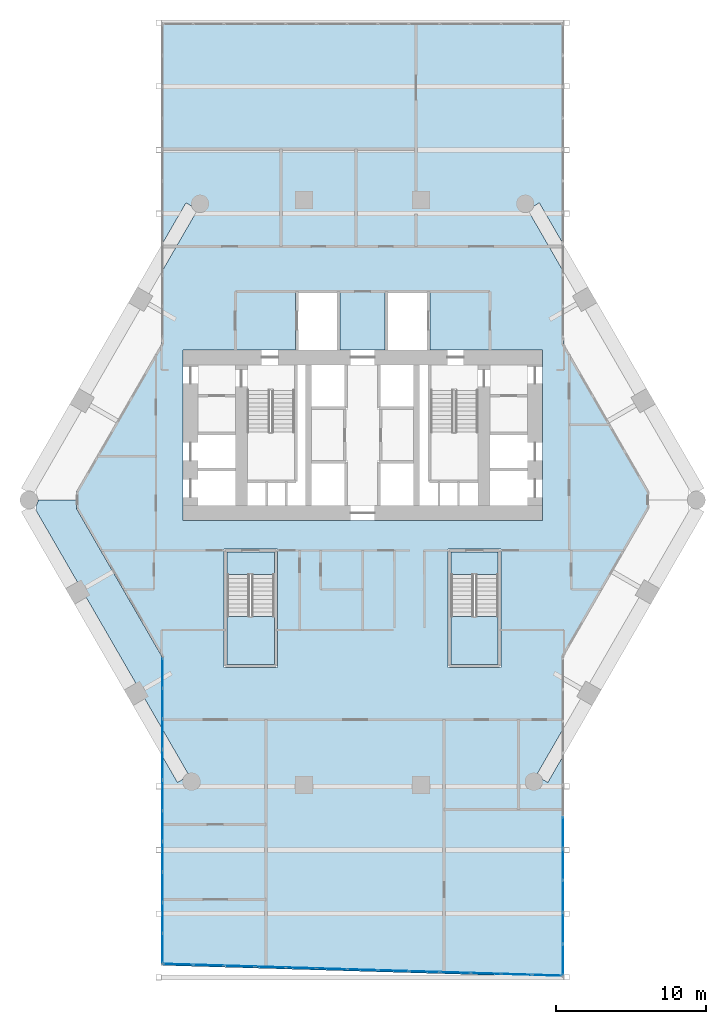
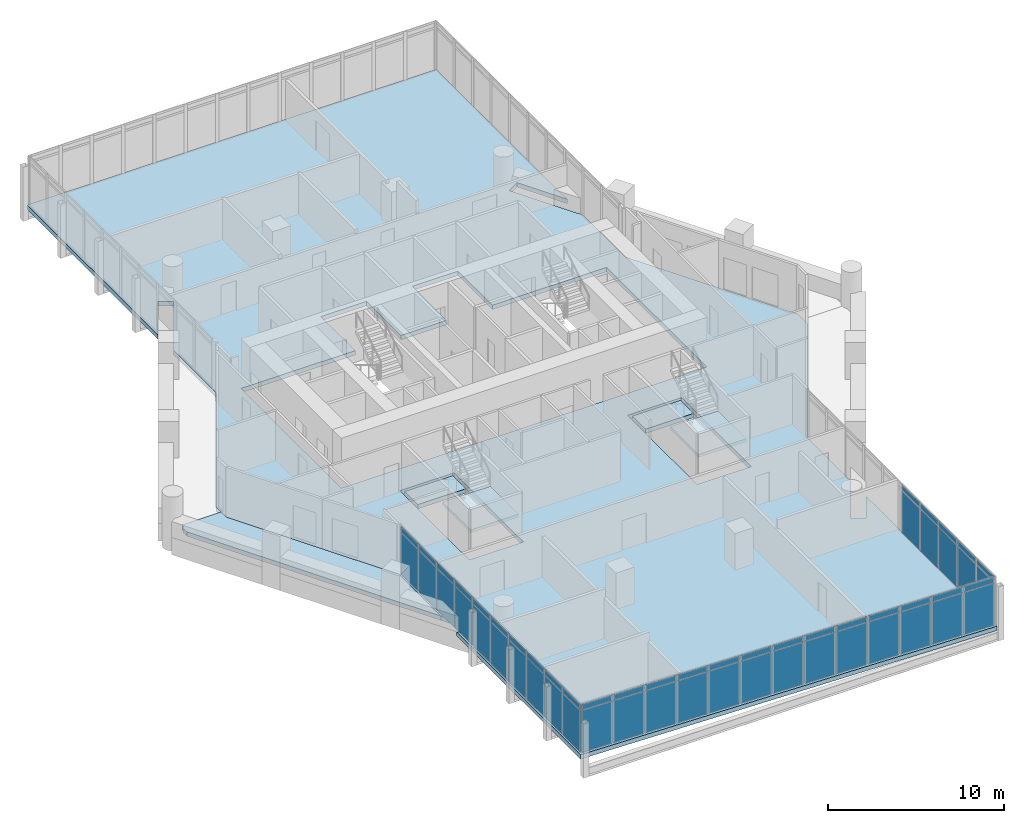
# One storey, part 20 of 28: 56 plates, 6 slabs, 5 elements without a shape of their own.
"""IFC4 building model written with IfcOpenShell, lengths in metres."""

from ifc_helpers import new_model, si_unit, direction, frame, origin, origin_2d, place, context, subcontext, project, spatial, polyline, rectangle, outline, extrude, material, layer, layer_set, type_object, element, aggregate, save


model = new_model("IFC4")

# Units and contexts
model_context = context("Model", 3, precision=1e-05, world=origin(), true_north=direction((0.0, 1.0)))
body_context = subcontext(model_context, "Body", "Model", "MODEL_VIEW")
ifc_project = project(units=[si_unit("LENGTHUNIT", "METRE"), si_unit("AREAUNIT", "SQUARE_METRE"), si_unit("VOLUMEUNIT", "CUBIC_METRE"), si_unit("PLANEANGLEUNIT", "RADIAN"), si_unit("MASSUNIT", "GRAM", prefix="KILO")], contexts=[model_context])

# Site, building, storey
site_placement = place(None, origin())
site = spatial("IfcSite", under=ifc_project, at=site_placement, CompositionType="ELEMENT")
building_placement = place(site_placement, origin())
building = spatial("IfcBuilding", under=site, at=building_placement, Name="Ostrander Bayou Hotel Tower", CompositionType="ELEMENT")
storey_placement = place(building_placement, frame((0.0, 0.0, 100.5)))
storey = spatial("IfcBuildingStorey", under=building, at=storey_placement, Name="L25", CompositionType="ELEMENT", Elevation=100.5)

# Curtain wall, plates
ifc_material_1 = material(Name="Aluminium and clear glass", Category="aluminium")
curtain_wall_type = type_object("IfcCurtainWallType", Name="CW-BAR glazed wall", PredefinedType="NOTDEFINED", material=ifc_material_1)
curtain_wall_1_placement = place(storey_placement, origin())
curtain_wall_1 = element("IfcCurtainWall", 1, at=curtain_wall_1_placement, inside=storey, type_object=curtain_wall_type, Name="CW-BAR L25:SB2S:E", PredefinedType="NOTDEFINED")
ifc_material_2 = material(Name="Clear laminated glass", Category="glass")
ifc_layer_1 = layer(ifc_material_2, 0.028076171875)
ifc_layer_set_1 = layer_set([ifc_layer_1], Name="CW-BR glazing panel 28 mm")
plate_type = type_object("IfcPlateType", Name="CW-BR glazing panel 28 mm", PredefinedType="CURTAIN_PANEL", material=ifc_layer_set_1)
plate_1_placement = place(storey_placement, frame((-13.3671875, -11.885009765625, 0.06005859375), z_axis=(0.0, 0.0, 1.0), x_axis=(0.0, -1.0, 0.0)))
plate_1 = element("IfcPlate", 2, at=plate_1_placement, type_object=plate_type, Name="CW-BAR panel 1.1", PredefinedType="CURTAIN_PANEL", context=body_context, shape_type="SweptSolid", body=[
    extrude(rectangle(XDim=1.95556640625, YDim=0.028076171875, at=origin_2d()), origin(), (0.0, 0.0, 1.0), 2.909912109375),
])
plate_2_placement = place(storey_placement, frame((-13.3671875, -11.885009765625, 3.02978515625), z_axis=(0.0, 0.0, 1.0), x_axis=(0.0, -1.0, 0.0)))
plate_2 = element("IfcPlate", 3, at=plate_2_placement, type_object=plate_type, Name="CW-BAR panel 1.2", PredefinedType="CURTAIN_PANEL", context=body_context, shape_type="SweptSolid", body=[
    extrude(rectangle(XDim=1.95556640625, YDim=0.028076171875, at=origin_2d()), origin(), (0.0, 0.0, 1.0), 0.360107421875),
])
plate_3_placement = place(storey_placement, frame((-13.3671875, -13.91552734375, 0.06005859375), z_axis=(0.0, 0.0, 1.0), x_axis=(0.0, -1.0, 0.0)))
plate_3 = element("IfcPlate", 4, at=plate_3_placement, type_object=plate_type, Name="CW-BAR panel 2.1", PredefinedType="CURTAIN_PANEL", context=body_context, shape_type="SweptSolid", body=[
    extrude(rectangle(XDim=1.985595703125, YDim=0.028076171875, at=origin_2d()), origin(), (0.0, 0.0, 1.0), 2.909912109375),
])
plate_4_placement = place(storey_placement, frame((-13.3671875, -13.91552734375, 3.02978515625), z_axis=(0.0, 0.0, 1.0), x_axis=(0.0, -1.0, 0.0)))
plate_4 = element("IfcPlate", 5, at=plate_4_placement, type_object=plate_type, Name="CW-BAR panel 2.2", PredefinedType="CURTAIN_PANEL", context=body_context, shape_type="SweptSolid", body=[
    extrude(rectangle(XDim=1.985595703125, YDim=0.028076171875, at=origin_2d()), origin(), (0.0, 0.0, 1.0), 0.360107421875),
])
plate_5_placement = place(storey_placement, frame((-13.3671875, -15.9609375, 0.06005859375), z_axis=(0.0, 0.0, 1.0), x_axis=(0.0, -1.0, 0.0)))
plate_5 = element("IfcPlate", 6, at=plate_5_placement, type_object=plate_type, Name="CW-BAR panel 3.1", PredefinedType="CURTAIN_PANEL", context=body_context, shape_type="SweptSolid", body=[
    extrude(rectangle(XDim=1.985595703125, YDim=0.028076171875, at=origin_2d()), origin(), (0.0, 0.0, 1.0), 2.909912109375),
])
plate_6_placement = place(storey_placement, frame((-13.3671875, -15.9609375, 3.02978515625), z_axis=(0.0, 0.0, 1.0), x_axis=(0.0, -1.0, 0.0)))
plate_6 = element("IfcPlate", 7, at=plate_6_placement, type_object=plate_type, Name="CW-BAR panel 3.2", PredefinedType="CURTAIN_PANEL", context=body_context, shape_type="SweptSolid", body=[
    extrude(rectangle(XDim=1.985595703125, YDim=0.028076171875, at=origin_2d()), origin(), (0.0, 0.0, 1.0), 0.360107421875),
])
plate_7_placement = place(storey_placement, frame((-13.3671875, -18.006591796875, 0.06005859375), z_axis=(0.0, 0.0, 1.0), x_axis=(0.0, -1.0, 0.0)))
plate_7 = element("IfcPlate", 8, at=plate_7_placement, type_object=plate_type, Name="CW-BAR panel 4.1", PredefinedType="CURTAIN_PANEL", context=body_context, shape_type="SweptSolid", body=[
    extrude(rectangle(XDim=1.985595703125, YDim=0.028076171875, at=origin_2d()), origin(), (0.0, 0.0, 1.0), 2.909912109375),
])
plate_8_placement = place(storey_placement, frame((-13.3671875, -18.006591796875, 3.02978515625), z_axis=(0.0, 0.0, 1.0), x_axis=(0.0, -1.0, 0.0)))
plate_8 = element("IfcPlate", 9, at=plate_8_placement, type_object=plate_type, Name="CW-BAR panel 4.2", PredefinedType="CURTAIN_PANEL", context=body_context, shape_type="SweptSolid", body=[
    extrude(rectangle(XDim=1.985595703125, YDim=0.028076171875, at=origin_2d()), origin(), (0.0, 0.0, 1.0), 0.360107421875),
])
plate_9_placement = place(storey_placement, frame((-13.3671875, -20.052001953125, 0.06005859375), z_axis=(0.0, 0.0, 1.0), x_axis=(0.0, -1.0, 0.0)))
plate_9 = element("IfcPlate", 10, at=plate_9_placement, type_object=plate_type, Name="CW-BAR panel 5.1", PredefinedType="CURTAIN_PANEL", context=body_context, shape_type="SweptSolid", body=[
    extrude(rectangle(XDim=1.985595703125, YDim=0.028076171875, at=origin_2d()), origin(), (0.0, 0.0, 1.0), 2.909912109375),
])
plate_10_placement = place(storey_placement, frame((-13.3671875, -20.052001953125, 3.02978515625), z_axis=(0.0, 0.0, 1.0), x_axis=(0.0, -1.0, 0.0)))
plate_10 = element("IfcPlate", 11, at=plate_10_placement, type_object=plate_type, Name="CW-BAR panel 5.2", PredefinedType="CURTAIN_PANEL", context=body_context, shape_type="SweptSolid", body=[
    extrude(rectangle(XDim=1.985595703125, YDim=0.028076171875, at=origin_2d()), origin(), (0.0, 0.0, 1.0), 0.360107421875),
])
plate_11_placement = place(storey_placement, frame((-13.3671875, -22.097412109375, 0.06005859375), z_axis=(0.0, 0.0, 1.0), x_axis=(0.0, -1.0, 0.0)))
plate_11 = element("IfcPlate", 12, at=plate_11_placement, type_object=plate_type, Name="CW-BAR panel 6.1", PredefinedType="CURTAIN_PANEL", context=body_context, shape_type="SweptSolid", body=[
    extrude(rectangle(XDim=1.985595703125, YDim=0.028076171875, at=origin_2d()), origin(), (0.0, 0.0, 1.0), 2.909912109375),
])
plate_12_placement = place(storey_placement, frame((-13.3671875, -22.097412109375, 3.02978515625), z_axis=(0.0, 0.0, 1.0), x_axis=(0.0, -1.0, 0.0)))
plate_12 = element("IfcPlate", 13, at=plate_12_placement, type_object=plate_type, Name="CW-BAR panel 6.2", PredefinedType="CURTAIN_PANEL", context=body_context, shape_type="SweptSolid", body=[
    extrude(rectangle(XDim=1.985595703125, YDim=0.028076171875, at=origin_2d()), origin(), (0.0, 0.0, 1.0), 0.360107421875),
])
plate_13_placement = place(storey_placement, frame((-13.3671875, -24.14306640625, 0.06005859375), z_axis=(0.0, 0.0, 1.0), x_axis=(0.0, -1.0, 0.0)))
plate_13 = element("IfcPlate", 14, at=plate_13_placement, type_object=plate_type, Name="CW-BAR panel 7.1", PredefinedType="CURTAIN_PANEL", context=body_context, shape_type="SweptSolid", body=[
    extrude(rectangle(XDim=1.985595703125, YDim=0.028076171875, at=origin_2d()), origin(), (0.0, 0.0, 1.0), 2.909912109375),
])
plate_14_placement = place(storey_placement, frame((-13.3671875, -24.14306640625, 3.02978515625), z_axis=(0.0, 0.0, 1.0), x_axis=(0.0, -1.0, 0.0)))
plate_14 = element("IfcPlate", 15, at=plate_14_placement, type_object=plate_type, Name="CW-BAR panel 7.2", PredefinedType="CURTAIN_PANEL", context=body_context, shape_type="SweptSolid", body=[
    extrude(rectangle(XDim=1.985595703125, YDim=0.028076171875, at=origin_2d()), origin(), (0.0, 0.0, 1.0), 0.360107421875),
])
plate_15_placement = place(storey_placement, frame((-13.3671875, -26.1884765625, 0.06005859375), z_axis=(0.0, 0.0, 1.0), x_axis=(0.0, -1.0, 0.0)))
plate_15 = element("IfcPlate", 16, at=plate_15_placement, type_object=plate_type, Name="CW-BAR panel 8.1", PredefinedType="CURTAIN_PANEL", context=body_context, shape_type="SweptSolid", body=[
    extrude(rectangle(XDim=1.985595703125, YDim=0.028076171875, at=origin_2d()), origin(), (0.0, 0.0, 1.0), 2.909912109375),
])
plate_16_placement = place(storey_placement, frame((-13.3671875, -26.1884765625, 3.02978515625), z_axis=(0.0, 0.0, 1.0), x_axis=(0.0, -1.0, 0.0)))
plate_16 = element("IfcPlate", 17, at=plate_16_placement, type_object=plate_type, Name="CW-BAR panel 8.2", PredefinedType="CURTAIN_PANEL", context=body_context, shape_type="SweptSolid", body=[
    extrude(rectangle(XDim=1.985595703125, YDim=0.028076171875, at=origin_2d()), origin(), (0.0, 0.0, 1.0), 0.360107421875),
])
plate_17_placement = place(storey_placement, frame((-13.3671875, -28.23388671875, 0.06005859375), z_axis=(0.0, 0.0, 1.0), x_axis=(0.0, -1.0, 0.0)))
plate_17 = element("IfcPlate", 18, at=plate_17_placement, type_object=plate_type, Name="CW-BAR panel 9.1", PredefinedType="CURTAIN_PANEL", context=body_context, shape_type="SweptSolid", body=[
    extrude(rectangle(XDim=1.985595703125, YDim=0.028076171875, at=origin_2d()), origin(), (0.0, 0.0, 1.0), 2.909912109375),
])
plate_18_placement = place(storey_placement, frame((-13.3671875, -28.23388671875, 3.02978515625), z_axis=(0.0, 0.0, 1.0), x_axis=(0.0, -1.0, 0.0)))
plate_18 = element("IfcPlate", 19, at=plate_18_placement, type_object=plate_type, Name="CW-BAR panel 9.2", PredefinedType="CURTAIN_PANEL", context=body_context, shape_type="SweptSolid", body=[
    extrude(rectangle(XDim=1.985595703125, YDim=0.028076171875, at=origin_2d()), origin(), (0.0, 0.0, 1.0), 0.360107421875),
])
plate_19_placement = place(storey_placement, frame((-13.3671875, -30.264404296875, 0.06005859375), z_axis=(0.0, 0.0, 1.0), x_axis=(0.0, -1.0, 0.0)))
plate_19 = element("IfcPlate", 20, at=plate_19_placement, type_object=plate_type, Name="CW-BAR panel 10.1", PredefinedType="CURTAIN_PANEL", context=body_context, shape_type="SweptSolid", body=[
    extrude(rectangle(XDim=1.95556640625, YDim=0.028076171875, at=origin_2d()), origin(), (0.0, 0.0, 1.0), 2.909912109375),
])
plate_20_placement = place(storey_placement, frame((-13.3671875, -30.264404296875, 3.02978515625), z_axis=(0.0, 0.0, 1.0), x_axis=(0.0, -1.0, 0.0)))
plate_20 = element("IfcPlate", 21, at=plate_20_placement, type_object=plate_type, Name="CW-BAR panel 10.2", PredefinedType="CURTAIN_PANEL", context=body_context, shape_type="SweptSolid", body=[
    extrude(rectangle(XDim=1.95556640625, YDim=0.028076171875, at=origin_2d()), origin(), (0.0, 0.0, 1.0), 0.360107421875),
])
aggregate(curtain_wall_1, [plate_1, plate_2, plate_3, plate_4, plate_5, plate_6, plate_7, plate_8, plate_9, plate_10, plate_11, plate_12, plate_13, plate_14, plate_15, plate_16, plate_17, plate_18, plate_19, plate_20])

curtain_wall_2_placement = place(storey_placement, origin())
curtain_wall_2 = element("IfcCurtainWall", 22, at=curtain_wall_2_placement, inside=storey, type_object=curtain_wall_type, Name="CW-BAR L25:SB2S:T", PredefinedType="NOTDEFINED")
plate_21_placement = place(storey_placement, frame((-12.323974609375, -31.333251953125, 0.06005859375), z_axis=(0.0, 0.0, 1.0), x_axis=(0.999557482631, -0.029746242041, 0.0)))
plate_21 = element("IfcPlate", 23, at=plate_21_placement, type_object=plate_type, Name="CW-BAR panel 1.1", PredefinedType="CURTAIN_PANEL", context=body_context, shape_type="SweptSolid", body=[
    extrude(rectangle(XDim=1.96728515625, YDim=0.028076171875, at=origin_2d()), origin(), (0.0, 0.0, 1.0), 2.909912109375),
])
plate_22_placement = place(storey_placement, frame((-12.323974609375, -31.333251953125, 3.02978515625), z_axis=(0.0, 0.0, 1.0), x_axis=(0.999557482631, -0.029746242041, 0.0)))
plate_22 = element("IfcPlate", 24, at=plate_22_placement, type_object=plate_type, Name="CW-BAR panel 1.2", PredefinedType="CURTAIN_PANEL", context=body_context, shape_type="SweptSolid", body=[
    extrude(rectangle(XDim=1.96728515625, YDim=0.028076171875, at=origin_2d()), origin(), (0.0, 0.0, 1.0), 0.360107421875),
])
plate_23_placement = place(storey_placement, frame((-10.282470703125, -31.39404296875, 0.06005859375), z_axis=(0.0, 0.0, 1.0), x_axis=(0.999557482631, -0.029746242041, 0.0)))
plate_23 = element("IfcPlate", 25, at=plate_23_placement, type_object=plate_type, Name="CW-BAR panel 2.1", PredefinedType="CURTAIN_PANEL", context=body_context, shape_type="SweptSolid", body=[
    extrude(rectangle(XDim=1.997314453125, YDim=0.028076171875, at=origin_2d()), origin(), (0.0, 0.0, 1.0), 2.909912109375),
])
plate_24_placement = place(storey_placement, frame((-10.282470703125, -31.39404296875, 3.02978515625), z_axis=(0.0, 0.0, 1.0), x_axis=(0.999557482631, -0.029746242041, 0.0)))
plate_24 = element("IfcPlate", 26, at=plate_24_placement, type_object=plate_type, Name="CW-BAR panel 2.2", PredefinedType="CURTAIN_PANEL", context=body_context, shape_type="SweptSolid", body=[
    extrude(rectangle(XDim=1.997314453125, YDim=0.028076171875, at=origin_2d()), origin(), (0.0, 0.0, 1.0), 0.360107421875),
])
plate_25_placement = place(storey_placement, frame((-8.22607421875, -31.455078125, 0.06005859375), z_axis=(0.0, 0.0, 1.0), x_axis=(0.999557482631, -0.029746242041, 0.0)))
plate_25 = element("IfcPlate", 27, at=plate_25_placement, type_object=plate_type, Name="CW-BAR panel 3.1", PredefinedType="CURTAIN_PANEL", context=body_context, shape_type="SweptSolid", body=[
    extrude(rectangle(XDim=1.997314453125, YDim=0.028076171875, at=origin_2d()), origin(), (0.0, 0.0, 1.0), 2.909912109375),
])
plate_26_placement = place(storey_placement, frame((-8.22607421875, -31.455078125, 3.02978515625), z_axis=(0.0, 0.0, 1.0), x_axis=(0.999557482631, -0.029746242041, 0.0)))
plate_26 = element("IfcPlate", 28, at=plate_26_placement, type_object=plate_type, Name="CW-BAR panel 3.2", PredefinedType="CURTAIN_PANEL", context=body_context, shape_type="SweptSolid", body=[
    extrude(rectangle(XDim=1.997314453125, YDim=0.028076171875, at=origin_2d()), origin(), (0.0, 0.0, 1.0), 0.360107421875),
])
plate_27_placement = place(storey_placement, frame((-6.16943359375, -31.516357421875, 0.06005859375), z_axis=(0.0, 0.0, 1.0), x_axis=(0.999557482631, -0.029746242041, 0.0)))
plate_27 = element("IfcPlate", 29, at=plate_27_placement, type_object=plate_type, Name="CW-BAR panel 4.1", PredefinedType="CURTAIN_PANEL", context=body_context, shape_type="SweptSolid", body=[
    extrude(rectangle(XDim=1.997314453125, YDim=0.028076171875, at=origin_2d()), origin(), (0.0, 0.0, 1.0), 2.909912109375),
])
plate_28_placement = place(storey_placement, frame((-6.16943359375, -31.516357421875, 3.02978515625), z_axis=(0.0, 0.0, 1.0), x_axis=(0.999557482631, -0.029746242041, 0.0)))
plate_28 = element("IfcPlate", 30, at=plate_28_placement, type_object=plate_type, Name="CW-BAR panel 4.2", PredefinedType="CURTAIN_PANEL", context=body_context, shape_type="SweptSolid", body=[
    extrude(rectangle(XDim=1.997314453125, YDim=0.028076171875, at=origin_2d()), origin(), (0.0, 0.0, 1.0), 0.360107421875),
])
plate_29_placement = place(storey_placement, frame((-4.113037109375, -31.57763671875, 0.06005859375), z_axis=(0.0, 0.0, 1.0), x_axis=(0.999557482631, -0.029746242041, 0.0)))
plate_29 = element("IfcPlate", 31, at=plate_29_placement, type_object=plate_type, Name="CW-BAR panel 5.1", PredefinedType="CURTAIN_PANEL", context=body_context, shape_type="SweptSolid", body=[
    extrude(rectangle(XDim=1.997314453125, YDim=0.028076171875, at=origin_2d()), origin(), (0.0, 0.0, 1.0), 2.909912109375),
])
plate_30_placement = place(storey_placement, frame((-4.113037109375, -31.57763671875, 3.02978515625), z_axis=(0.0, 0.0, 1.0), x_axis=(0.999557482631, -0.029746242041, 0.0)))
plate_30 = element("IfcPlate", 32, at=plate_30_placement, type_object=plate_type, Name="CW-BAR panel 5.2", PredefinedType="CURTAIN_PANEL", context=body_context, shape_type="SweptSolid", body=[
    extrude(rectangle(XDim=1.997314453125, YDim=0.028076171875, at=origin_2d()), origin(), (0.0, 0.0, 1.0), 0.360107421875),
])
plate_31_placement = place(storey_placement, frame((-2.056396484375, -31.638916015625, 0.06005859375), z_axis=(0.0, 0.0, 1.0), x_axis=(0.999557482631, -0.029746242041, 0.0)))
plate_31 = element("IfcPlate", 33, at=plate_31_placement, type_object=plate_type, Name="CW-BAR panel 6.1", PredefinedType="CURTAIN_PANEL", context=body_context, shape_type="SweptSolid", body=[
    extrude(rectangle(XDim=1.997314453125, YDim=0.028076171875, at=origin_2d()), origin(), (0.0, 0.0, 1.0), 2.909912109375),
])
plate_32_placement = place(storey_placement, frame((-2.056396484375, -31.638916015625, 3.02978515625), z_axis=(0.0, 0.0, 1.0), x_axis=(0.999557482631, -0.029746242041, 0.0)))
plate_32 = element("IfcPlate", 34, at=plate_32_placement, type_object=plate_type, Name="CW-BAR panel 6.2", PredefinedType="CURTAIN_PANEL", context=body_context, shape_type="SweptSolid", body=[
    extrude(rectangle(XDim=1.997314453125, YDim=0.028076171875, at=origin_2d()), origin(), (0.0, 0.0, 1.0), 0.360107421875),
])
plate_33_placement = place(storey_placement, frame((0.0, -31.699951171875, 0.06005859375), z_axis=(0.0, 0.0, 1.0), x_axis=(0.999557482631, -0.029746242041, 0.0)))
plate_33 = element("IfcPlate", 35, at=plate_33_placement, type_object=plate_type, Name="CW-BAR panel 7.1", PredefinedType="CURTAIN_PANEL", context=body_context, shape_type="SweptSolid", body=[
    extrude(rectangle(XDim=1.997314453125, YDim=0.028076171875, at=origin_2d()), origin(), (0.0, 0.0, 1.0), 2.909912109375),
])
plate_34_placement = place(storey_placement, frame((0.0, -31.699951171875, 3.02978515625), z_axis=(0.0, 0.0, 1.0), x_axis=(0.999557482631, -0.029746242041, 0.0)))
plate_34 = element("IfcPlate", 36, at=plate_34_placement, type_object=plate_type, Name="CW-BAR panel 7.2", PredefinedType="CURTAIN_PANEL", context=body_context, shape_type="SweptSolid", body=[
    extrude(rectangle(XDim=1.997314453125, YDim=0.028076171875, at=origin_2d()), origin(), (0.0, 0.0, 1.0), 0.360107421875),
])
plate_35_placement = place(storey_placement, frame((2.056396484375, -31.76123046875, 0.06005859375), z_axis=(0.0, 0.0, 1.0), x_axis=(0.999557482631, -0.029746242041, 0.0)))
plate_35 = element("IfcPlate", 37, at=plate_35_placement, type_object=plate_type, Name="CW-BAR panel 8.1", PredefinedType="CURTAIN_PANEL", context=body_context, shape_type="SweptSolid", body=[
    extrude(rectangle(XDim=1.997314453125, YDim=0.028076171875, at=origin_2d()), origin(), (0.0, 0.0, 1.0), 2.909912109375),
])
plate_36_placement = place(storey_placement, frame((2.056396484375, -31.76123046875, 3.02978515625), z_axis=(0.0, 0.0, 1.0), x_axis=(0.999557482631, -0.029746242041, 0.0)))
plate_36 = element("IfcPlate", 38, at=plate_36_placement, type_object=plate_type, Name="CW-BAR panel 8.2", PredefinedType="CURTAIN_PANEL", context=body_context, shape_type="SweptSolid", body=[
    extrude(rectangle(XDim=1.997314453125, YDim=0.028076171875, at=origin_2d()), origin(), (0.0, 0.0, 1.0), 0.360107421875),
])
plate_37_placement = place(storey_placement, frame((4.113037109375, -31.822509765625, 0.06005859375), z_axis=(0.0, 0.0, 1.0), x_axis=(0.999557482631, -0.029746242041, 0.0)))
plate_37 = element("IfcPlate", 39, at=plate_37_placement, type_object=plate_type, Name="CW-BAR panel 9.1", PredefinedType="CURTAIN_PANEL", context=body_context, shape_type="SweptSolid", body=[
    extrude(rectangle(XDim=1.997314453125, YDim=0.028076171875, at=origin_2d()), origin(), (0.0, 0.0, 1.0), 2.909912109375),
])
plate_38_placement = place(storey_placement, frame((4.113037109375, -31.822509765625, 3.02978515625), z_axis=(0.0, 0.0, 1.0), x_axis=(0.999557482631, -0.029746242041, 0.0)))
plate_38 = element("IfcPlate", 40, at=plate_38_placement, type_object=plate_type, Name="CW-BAR panel 9.2", PredefinedType="CURTAIN_PANEL", context=body_context, shape_type="SweptSolid", body=[
    extrude(rectangle(XDim=1.997314453125, YDim=0.028076171875, at=origin_2d()), origin(), (0.0, 0.0, 1.0), 0.360107421875),
])
plate_39_placement = place(storey_placement, frame((6.16943359375, -31.883544921875, 0.06005859375), z_axis=(0.0, 0.0, 1.0), x_axis=(0.999557482631, -0.029746242041, 0.0)))
plate_39 = element("IfcPlate", 41, at=plate_39_placement, type_object=plate_type, Name="CW-BAR panel 10.1", PredefinedType="CURTAIN_PANEL", context=body_context, shape_type="SweptSolid", body=[
    extrude(rectangle(XDim=1.997314453125, YDim=0.028076171875, at=origin_2d()), origin(), (0.0, 0.0, 1.0), 2.909912109375),
])
plate_40_placement = place(storey_placement, frame((6.16943359375, -31.883544921875, 3.02978515625), z_axis=(0.0, 0.0, 1.0), x_axis=(0.999557482631, -0.029746242041, 0.0)))
plate_40 = element("IfcPlate", 42, at=plate_40_placement, type_object=plate_type, Name="CW-BAR panel 10.2", PredefinedType="CURTAIN_PANEL", context=body_context, shape_type="SweptSolid", body=[
    extrude(rectangle(XDim=1.997314453125, YDim=0.028076171875, at=origin_2d()), origin(), (0.0, 0.0, 1.0), 0.360107421875),
])
plate_41_placement = place(storey_placement, frame((8.22607421875, -31.94482421875, 0.06005859375), z_axis=(0.0, 0.0, 1.0), x_axis=(0.999557482631, -0.029746242041, 0.0)))
plate_41 = element("IfcPlate", 43, at=plate_41_placement, type_object=plate_type, Name="CW-BAR panel 11.1", PredefinedType="CURTAIN_PANEL", context=body_context, shape_type="SweptSolid", body=[
    extrude(rectangle(XDim=1.997314453125, YDim=0.028076171875, at=origin_2d()), origin(), (0.0, 0.0, 1.0), 2.909912109375),
])
plate_42_placement = place(storey_placement, frame((8.22607421875, -31.94482421875, 3.02978515625), z_axis=(0.0, 0.0, 1.0), x_axis=(0.999557482631, -0.029746242041, 0.0)))
plate_42 = element("IfcPlate", 44, at=plate_42_placement, type_object=plate_type, Name="CW-BAR panel 11.2", PredefinedType="CURTAIN_PANEL", context=body_context, shape_type="SweptSolid", body=[
    extrude(rectangle(XDim=1.997314453125, YDim=0.028076171875, at=origin_2d()), origin(), (0.0, 0.0, 1.0), 0.360107421875),
])
plate_43_placement = place(storey_placement, frame((10.282470703125, -32.006103515625, 0.06005859375), z_axis=(0.0, 0.0, 1.0), x_axis=(0.999557482631, -0.029746242041, 0.0)))
plate_43 = element("IfcPlate", 45, at=plate_43_placement, type_object=plate_type, Name="CW-BAR panel 12.1", PredefinedType="CURTAIN_PANEL", context=body_context, shape_type="SweptSolid", body=[
    extrude(rectangle(XDim=1.997314453125, YDim=0.028076171875, at=origin_2d()), origin(), (0.0, 0.0, 1.0), 2.909912109375),
])
plate_44_placement = place(storey_placement, frame((10.282470703125, -32.006103515625, 3.02978515625), z_axis=(0.0, 0.0, 1.0), x_axis=(0.999557482631, -0.029746242041, 0.0)))
plate_44 = element("IfcPlate", 46, at=plate_44_placement, type_object=plate_type, Name="CW-BAR panel 12.2", PredefinedType="CURTAIN_PANEL", context=body_context, shape_type="SweptSolid", body=[
    extrude(rectangle(XDim=1.997314453125, YDim=0.028076171875, at=origin_2d()), origin(), (0.0, 0.0, 1.0), 0.360107421875),
])
plate_45_placement = place(storey_placement, frame((12.323974609375, -32.066650390625, 0.06005859375), z_axis=(0.0, 0.0, 1.0), x_axis=(0.999557482631, -0.029746242041, 0.0)))
plate_45 = element("IfcPlate", 47, at=plate_45_placement, type_object=plate_type, Name="CW-BAR panel 13.1", PredefinedType="CURTAIN_PANEL", context=body_context, shape_type="SweptSolid", body=[
    extrude(rectangle(XDim=1.96728515625, YDim=0.028076171875, at=origin_2d()), origin(), (0.0, 0.0, 1.0), 2.909912109375),
])
plate_46_placement = place(storey_placement, frame((12.323974609375, -32.066650390625, 3.02978515625), z_axis=(0.0, 0.0, 1.0), x_axis=(0.999557482631, -0.029746242041, 0.0)))
plate_46 = element("IfcPlate", 48, at=plate_46_placement, type_object=plate_type, Name="CW-BAR panel 13.2", PredefinedType="CURTAIN_PANEL", context=body_context, shape_type="SweptSolid", body=[
    extrude(rectangle(XDim=1.96728515625, YDim=0.028076171875, at=origin_2d()), origin(), (0.0, 0.0, 1.0), 0.360107421875),
])
aggregate(curtain_wall_2, [plate_21, plate_22, plate_23, plate_24, plate_25, plate_26, plate_27, plate_28, plate_29, plate_30, plate_31, plate_32, plate_33, plate_34, plate_35, plate_36, plate_37, plate_38, plate_39, plate_40, plate_41, plate_42, plate_43, plate_44, plate_45, plate_46])

curtain_wall_3_placement = place(storey_placement, origin())
curtain_wall_3 = element("IfcCurtainWall", 49, at=curtain_wall_3_placement, inside=storey, type_object=curtain_wall_type, Name="CW-BAR L25:SB2S:W", PredefinedType="NOTDEFINED")
plate_47_placement = place(storey_placement, frame((13.3671875, -22.53515625, 0.06005859375), z_axis=(0.0, 0.0, 1.0), x_axis=(0.0, -1.0, 0.0)))
plate_47 = element("IfcPlate", 50, at=plate_47_placement, type_object=plate_type, Name="CW-BAR panel 6.1", PredefinedType="CURTAIN_PANEL", context=body_context, shape_type="SweptSolid", body=[
    extrude(rectangle(XDim=2.06494140625, YDim=0.028076171875, at=origin_2d()), origin(), (0.0, 0.0, 1.0), 2.909912109375),
])
plate_48_placement = place(storey_placement, frame((13.3671875, -22.53515625, 3.02978515625), z_axis=(0.0, 0.0, 1.0), x_axis=(0.0, -1.0, 0.0)))
plate_48 = element("IfcPlate", 51, at=plate_48_placement, type_object=plate_type, Name="CW-BAR panel 6.2", PredefinedType="CURTAIN_PANEL", context=body_context, shape_type="SweptSolid", body=[
    extrude(rectangle(XDim=2.06494140625, YDim=0.028076171875, at=origin_2d()), origin(), (0.0, 0.0, 1.0), 0.360107421875),
])
plate_49_placement = place(storey_placement, frame((13.3671875, -24.66015625, 0.06005859375), z_axis=(0.0, 0.0, 1.0), x_axis=(0.0, -1.0, 0.0)))
plate_49 = element("IfcPlate", 52, at=plate_49_placement, type_object=plate_type, Name="CW-BAR panel 7.1", PredefinedType="CURTAIN_PANEL", context=body_context, shape_type="SweptSolid", body=[
    extrude(rectangle(XDim=2.06494140625, YDim=0.028076171875, at=origin_2d()), origin(), (0.0, 0.0, 1.0), 2.909912109375),
])
plate_50_placement = place(storey_placement, frame((13.3671875, -24.66015625, 3.02978515625), z_axis=(0.0, 0.0, 1.0), x_axis=(0.0, -1.0, 0.0)))
plate_50 = element("IfcPlate", 53, at=plate_50_placement, type_object=plate_type, Name="CW-BAR panel 7.2", PredefinedType="CURTAIN_PANEL", context=body_context, shape_type="SweptSolid", body=[
    extrude(rectangle(XDim=2.06494140625, YDim=0.028076171875, at=origin_2d()), origin(), (0.0, 0.0, 1.0), 0.360107421875),
])
plate_51_placement = place(storey_placement, frame((13.3671875, -26.78515625, 0.06005859375), z_axis=(0.0, 0.0, 1.0), x_axis=(0.0, -1.0, 0.0)))
plate_51 = element("IfcPlate", 54, at=plate_51_placement, type_object=plate_type, Name="CW-BAR panel 8.1", PredefinedType="CURTAIN_PANEL", context=body_context, shape_type="SweptSolid", body=[
    extrude(rectangle(XDim=2.06494140625, YDim=0.028076171875, at=origin_2d()), origin(), (0.0, 0.0, 1.0), 2.909912109375),
])
plate_52_placement = place(storey_placement, frame((13.3671875, -26.78515625, 3.02978515625), z_axis=(0.0, 0.0, 1.0), x_axis=(0.0, -1.0, 0.0)))
plate_52 = element("IfcPlate", 55, at=plate_52_placement, type_object=plate_type, Name="CW-BAR panel 8.2", PredefinedType="CURTAIN_PANEL", context=body_context, shape_type="SweptSolid", body=[
    extrude(rectangle(XDim=2.06494140625, YDim=0.028076171875, at=origin_2d()), origin(), (0.0, 0.0, 1.0), 0.360107421875),
])
plate_53_placement = place(storey_placement, frame((13.3671875, -28.91015625, 0.06005859375), z_axis=(0.0, 0.0, 1.0), x_axis=(0.0, -1.0, 0.0)))
plate_53 = element("IfcPlate", 56, at=plate_53_placement, type_object=plate_type, Name="CW-BAR panel 9.1", PredefinedType="CURTAIN_PANEL", context=body_context, shape_type="SweptSolid", body=[
    extrude(rectangle(XDim=2.06494140625, YDim=0.028076171875, at=origin_2d()), origin(), (0.0, 0.0, 1.0), 2.909912109375),
])
plate_54_placement = place(storey_placement, frame((13.3671875, -28.91015625, 3.02978515625), z_axis=(0.0, 0.0, 1.0), x_axis=(0.0, -1.0, 0.0)))
plate_54 = element("IfcPlate", 57, at=plate_54_placement, type_object=plate_type, Name="CW-BAR panel 9.2", PredefinedType="CURTAIN_PANEL", context=body_context, shape_type="SweptSolid", body=[
    extrude(rectangle(XDim=2.06494140625, YDim=0.028076171875, at=origin_2d()), origin(), (0.0, 0.0, 1.0), 0.360107421875),
])
plate_55_placement = place(storey_placement, frame((13.3671875, -31.020263671875, 0.06005859375), z_axis=(0.0, 0.0, 1.0), x_axis=(0.0, -1.0, 0.0)))
plate_55 = element("IfcPlate", 58, at=plate_55_placement, type_object=plate_type, Name="CW-BAR panel 10.1", PredefinedType="CURTAIN_PANEL", context=body_context, shape_type="SweptSolid", body=[
    extrude(rectangle(XDim=2.03515625, YDim=0.028076171875, at=origin_2d()), origin(), (0.0, 0.0, 1.0), 2.909912109375),
])
plate_56_placement = place(storey_placement, frame((13.3671875, -31.020263671875, 3.02978515625), z_axis=(0.0, 0.0, 1.0), x_axis=(0.0, -1.0, 0.0)))
plate_56 = element("IfcPlate", 59, at=plate_56_placement, type_object=plate_type, Name="CW-BAR panel 10.2", PredefinedType="CURTAIN_PANEL", context=body_context, shape_type="SweptSolid", body=[
    extrude(rectangle(XDim=2.03515625, YDim=0.028076171875, at=origin_2d()), origin(), (0.0, 0.0, 1.0), 0.360107421875),
])
aggregate(curtain_wall_3, [plate_47, plate_48, plate_49, plate_50, plate_51, plate_52, plate_53, plate_54, plate_55, plate_56])

# Slabs
ifc_material_3 = material(Name="Concrete f'c 40 MPa", Category="concrete")
ifc_layer_2 = layer(ifc_material_3, 0.300048828125)
ifc_layer_set_2 = layer_set([ifc_layer_2], Name="SL1 floor slab 300 mm f'c 40 MPa")
slab_type_1 = type_object("IfcSlabType", Name="SL1 floor slab 300 mm f'c 40 MPa", PredefinedType="FLOOR", material=ifc_layer_set_2)
slab_1_placement = place(storey_placement, frame((0.0, 0.0, -0.300048828125)))
element("IfcSlab", 60, at=slab_1_placement, inside=storey, type_object=slab_type_1, Name="SL1 L25 1", PredefinedType="FLOOR", context=body_context, shape_type="SweptSolid", body=[
    extrude(outline(polyline([(-12.364501953125, -19.18408203125), (-11.585205078125, -18.734130859375), (-13.442138671875, -15.517333984375), (-13.442138671875, -10.71728515625), (-19.094482421875, -0.92724609375), (-19.094482421875, 0.272705078125), (-13.442138671875, 10.062744140625), (-13.442138671875, 14.86279296875), (-11.018310546875, 19.061279296875), (-11.797607421875, 19.511474609375), (-13.442138671875, 16.662841796875), (-13.442138671875, 31.54541015625), (13.442138671875, 31.54541015625), (13.442138671875, 16.662841796875), (11.797607421875, 19.511474609375), (11.018310546875, 19.061279296875), (13.442138671875, 14.86279296875), (13.442138671875, 10.062744140625), (19.094482421875, 0.272705078125), (19.094482421875, -0.92724609375), (13.442138671875, -10.71728515625), (13.442138671875, -15.517333984375), (11.585205078125, -18.734130859375), (12.364501953125, -19.18408203125), (13.442138671875, -17.3173828125), (13.442138671875, -32.199951171875), (-13.442138671875, -31.39990234375), (-13.442138671875, -17.3173828125), (-12.364501953125, -19.18408203125)]), holes=[polyline([(-12.0, -1.699951171875), (12.0, -1.699951171875), (12.0, 9.699951171875), (4.5, 9.699951171875), (4.5, 13.60009765625), (1.5, 13.60009765625), (1.5, 9.699951171875), (-1.5, 9.699951171875), (-1.5, 13.60009765625), (-4.5, 13.60009765625), (-4.5, 9.699951171875), (-12.0, 9.699951171875), (-12.0, -1.699951171875)]), polyline([(9.25, -3.60009765625), (5.699951171875, -3.60009765625), (5.699951171875, -11.5), (9.25, -11.5), (9.25, -3.60009765625)]), polyline([(-5.699951171875, -3.60009765625), (-9.25, -3.60009765625), (-9.25, -11.5), (-5.699951171875, -11.5), (-5.699951171875, -3.60009765625)])]), origin(), (0.0, 0.0, 1.0), 0.300048828125),
])
slab_2_placement = place(storey_placement, frame((0.0, 0.0, -0.300048828125)))
element("IfcSlab", 61, at=slab_2_placement, inside=storey, type_object=slab_type_1, Name="cslab:L25:006", PredefinedType="FLOOR", context=body_context, shape_type="SweptSolid", body=[
    extrude(outline(polyline([(9.050048828125, -5.300048828125), (9.050048828125, -3.800048828125), (5.89990234375, -3.800048828125), (5.89990234375, -5.300048828125), (9.050048828125, -5.300048828125)])), origin(), (0.0, 0.0, 1.0), 0.300048828125),
])
slab_3_placement = place(storey_placement, frame((0.0, 0.0, -0.300048828125)))
element("IfcSlab", 62, at=slab_3_placement, inside=storey, type_object=slab_type_1, Name="cslab:L25:007", PredefinedType="FLOOR", context=body_context, shape_type="SweptSolid", body=[
    extrude(outline(polyline([(-5.89990234375, -5.300048828125), (-5.89990234375, -3.800048828125), (-9.050048828125, -3.800048828125), (-9.050048828125, -5.300048828125), (-5.89990234375, -5.300048828125)])), origin(), (0.0, 0.0, 1.0), 0.300048828125),
])
ifc_material_4 = material(Name="Concrete f'c 40 MPa", Category="concrete")
ifc_layer_3 = layer(ifc_material_4, 0.300048828125)
ifc_layer_set_3 = layer_set([ifc_layer_3], Name="SL4 loggia slab 300 mm f'c 40 MPa")
slab_type_2 = type_object("IfcSlabType", Name="SL4 loggia slab 300 mm f'c 40 MPa", PredefinedType="FLOOR", material=ifc_layer_set_3)
slab_4_placement = place(storey_placement, frame((0.0, 0.0, -0.300048828125)))
element("IfcSlab", 63, at=slab_4_placement, inside=storey, type_object=slab_type_2, Name="SL4 LOGGIA L25 SW 1", PredefinedType="FLOOR", context=body_context, shape_type="SweptSolid", body=[
    extrude(outline(polyline([(-13.442138671875, -15.517333984375), (-14.5625, -13.576904296875), (-15.132568359375, -12.589599609375), (-18.46923828125, -6.810302734375), (-19.039306640625, -5.822998046875), (-21.779296875, -1.077392578125), (-21.779296875, -0.65673828125), (-21.725830078125, -0.556884765625), (-21.691650390625, -0.4443359375), (-21.68017578125, -0.327392578125), (-19.094482421875, -0.327392578125), (-19.094482421875, -0.92724609375), (-13.442138671875, -10.71728515625), (-13.442138671875, -15.517333984375)])), origin(), (0.0, 0.0, 1.0), 0.300048828125),
])

# Stair, slab
ifc_material_5 = material(Name="Concrete f'c 45 MPa", Category="concrete")
stair_type = type_object("IfcStairType", Name="ST1 exit stair 1500 mm f'c 45 MPa", PredefinedType="HALF_TURN_STAIR", material=ifc_material_5)
stair_1_placement = place(storey_placement, origin())
stair_1 = element("IfcStair", 64, at=stair_1_placement, inside=storey, type_object=stair_type, Name="L25 exit stair C", PredefinedType="HALF_TURN_STAIR")
ifc_material_6 = material(Name="Concrete f'c 45 MPa", Category="concrete")
ifc_layer_4 = layer(ifc_material_6, 0.199951171875)
ifc_layer_set_4 = layer_set([ifc_layer_4], Name="SL8 stair landing 200 mm f'c 45 MPa")
slab_type_3 = type_object("IfcSlabType", Name="SL8 stair landing 200 mm f'c 45 MPa", PredefinedType="LANDING", material=ifc_layer_set_4)
slab_5_placement = place(storey_placement, frame((0.0, 0.0, 1.675048828125)))
slab_5 = element("IfcSlab", 65, at=slab_5_placement, type_object=slab_type_3, Name="STC landing 1", PredefinedType="LANDING", context=body_context, shape_type="SweptSolid", body=[
    extrude(outline(polyline([(5.89990234375, -8.10009765625), (5.89990234375, -11.300048828125), (9.050048828125, -11.300048828125), (9.050048828125, -8.10009765625), (5.89990234375, -8.10009765625)])), origin(), (0.0, 0.0, 1.0), 0.199951171875),
])
aggregate(stair_1, [slab_5])

stair_2_placement = place(storey_placement, origin())
stair_2 = element("IfcStair", 66, at=stair_2_placement, inside=storey, type_object=stair_type, Name="L25 exit stair D", PredefinedType="HALF_TURN_STAIR")
slab_6_placement = place(storey_placement, frame((0.0, 0.0, 1.675048828125)))
slab_6 = element("IfcSlab", 67, at=slab_6_placement, type_object=slab_type_3, Name="STD landing 1", PredefinedType="LANDING", context=body_context, shape_type="SweptSolid", body=[
    extrude(outline(polyline([(-9.050048828125, -8.10009765625), (-9.050048828125, -11.300048828125), (-5.89990234375, -11.300048828125), (-5.89990234375, -8.10009765625), (-9.050048828125, -8.10009765625)])), origin(), (0.0, 0.0, 1.0), 0.199951171875),
])
aggregate(stair_2, [slab_6])

save(model, "model.ifc")
